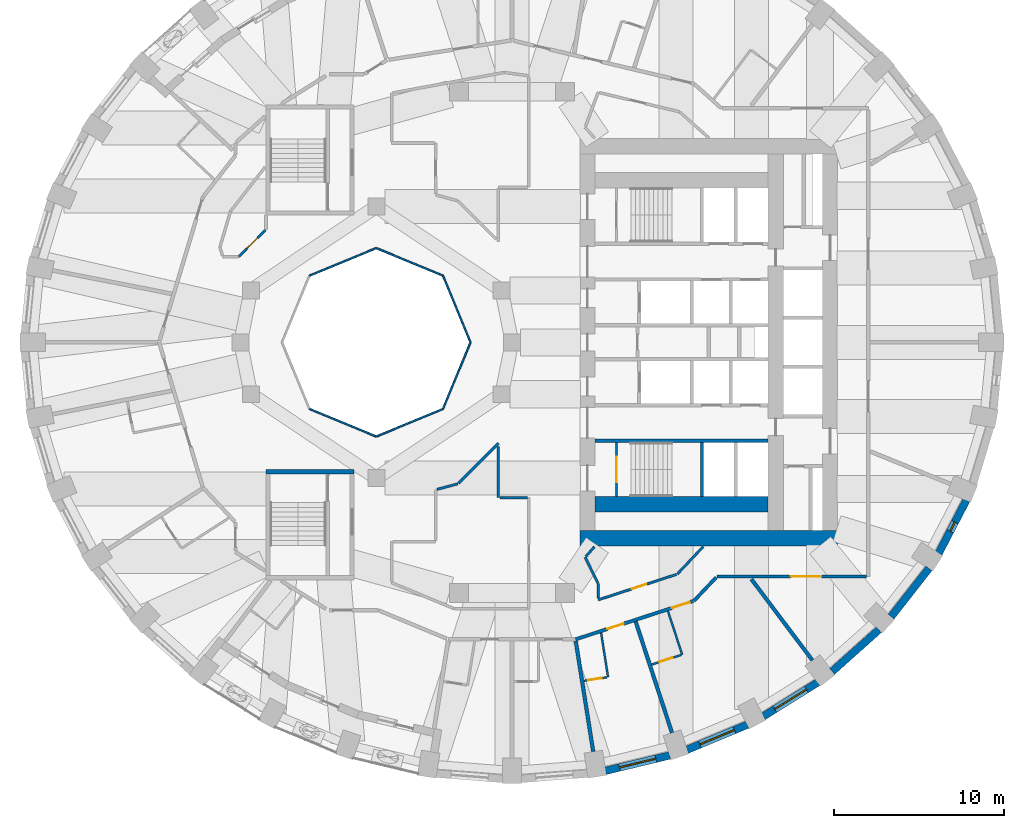
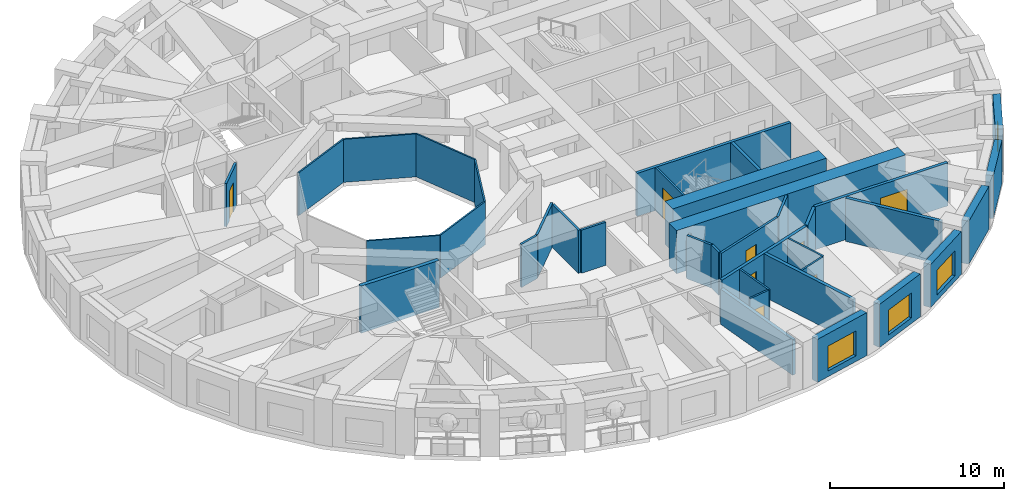
# One storey, part 5 of 13: 38 walls, 8 doors, 4 windows, 12 openings.
"""IFC4 building model written with IfcOpenShell, lengths in metres."""

from ifc_helpers import new_model, si_unit, direction, frame, frame_2d, origin, place, context, subcontext, project, spatial, rectangle, extrude, material, layer, layer_set, type_object, element, fill, save


model = new_model("IFC4")

# Units and contexts
model_context = context("Model", 3, precision=1e-05, world=origin(), true_north=direction((0.0, 1.0)))
body_context = subcontext(model_context, "Body", "Model", "MODEL_VIEW")
ifc_project = project(units=[si_unit("LENGTHUNIT", "METRE"), si_unit("AREAUNIT", "SQUARE_METRE"), si_unit("VOLUMEUNIT", "CUBIC_METRE"), si_unit("PLANEANGLEUNIT", "RADIAN"), si_unit("MASSUNIT", "GRAM", prefix="KILO")], contexts=[model_context])

# Site, building, storey
site_placement = place(None, origin())
site = spatial("IfcSite", under=ifc_project, at=site_placement, CompositionType="ELEMENT")
building_placement = place(site_placement, origin())
building = spatial("IfcBuilding", under=site, at=building_placement, Name="Taillehof Tower", CompositionType="ELEMENT")
storey_placement = place(building_placement, frame((0.0, 0.0, 48.10009765625)))
storey = spatial("IfcBuildingStorey", under=building, at=storey_placement, Name="L12", CompositionType="ELEMENT", Elevation=48.10009765625)

# Walls
ifc_material_1 = material(Name="Fire-resisting glass in steel frame", Category="steel")
ifc_layer_1 = layer(ifc_material_1, 0.10009765625)
ifc_layer_set_1 = layer_set([ifc_layer_1], Name="Atrium fire-resisting screen EI 60 100")
wall_type_1 = type_object("IfcWallType", Name="Atrium fire-resisting screen EI 60 100", PredefinedType="PARTITIONING", material=ifc_layer_set_1)
for number, where, z_axis, x_axis, name in (
    (1, (-2.44580078125, 0.0, 0.0), (0.0, 0.0, 1.0), (-0.382730523909, -0.923860025149, 0.0), "Atrium screen"),
    (2, (-4.07275390625, -3.92724609375, 0.0), (0.0, 0.0, 1.0), (-0.923860025149, -0.382730523909, 0.0), "Atrium screen"),
    (3, (-8.0, -5.55419921875, 0.0), (0.0, 0.0, 1.0), (-0.923860025149, 0.382730523909, 0.0), "Atrium screen"),
    (4, (-11.92724609375, 3.92724609375, 0.0), (0.0, 0.0, 1.0), (0.923860025149, 0.382730523909, 0.0), "Atrium screen"),
    (5, (-8.0, 5.55419921875, 0.0), (0.0, 0.0, 1.0), (0.923860025149, -0.382730523909, 0.0), "Atrium screen"),
    (6, (-4.07275390625, 3.92724609375, 0.0), (0.0, 0.0, 1.0), (0.382730523909, -0.923860025149, 0.0), "Atrium screen"),
):
    element("IfcWall", number, at=place(storey_placement, frame(where, z_axis=z_axis, x_axis=x_axis)), inside=storey, type_object=wall_type_1, Name=name, PredefinedType="PARTITIONING", context=body_context, shape_type="SweptSolid", body=[
        extrude(rectangle(XDim=4.2509765625, YDim=0.10009765625, at=frame_2d((2.12548828125, 0.0))), origin(), (0.0, 0.0, 1.0), 3.02001953125),
    ])

# Wall, opening, window
ifc_material_2 = material(Name="Brick masonry", Category="masonry")
ifc_layer_2 = layer(ifc_material_2, 0.449951171875)
ifc_layer_set_2 = layer_set([ifc_layer_2], Name="Brick infill wall 450")
wall_type_2 = type_object("IfcWallType", Name="Brick infill wall 450", PredefinedType="SOLIDWALL", material=ifc_layer_set_2)
wall_1_placement = place(storey_placement, frame((5.50439453125, -25.260498046875, 0.0), z_axis=(0.0, 0.0, 1.0), x_axis=(0.972496561493, 0.232917233979, 0.0)))
wall_1 = element("IfcWall", 7, at=wall_1_placement, inside=storey, type_object=wall_type_2, Name="Brick wall L12 bay 29", PredefinedType="SOLIDWALL", context=body_context, shape_type="SweptSolid", body=[
    extrude(rectangle(XDim=3.910888671875, YDim=0.449951171875, at=frame_2d((1.95556640625, 0.0))), origin(), (0.0, 0.0, 1.0), 3.02001953125),
])
opening_1_placement = place(wall_1_placement, frame((0.855224609375, 0.0, 0.39990234375)))
opening_1 = element("IfcOpeningElement", 8, at=opening_1_placement, cuts=wall_1, Name="Opening W1", PredefinedType="OPENING", context=body_context, shape_type="SweptSolid", body=[
    extrude(rectangle(XDim=2.199951171875, YDim=1.75, at=frame_2d((1.10009765625, 0.875))), frame((0.0, 0.23486328125, 0.0), z_axis=(0.0, -1.0, 0.0), x_axis=(1.0, 0.0, 0.0)), (0.0, 0.0, 1.0), 0.469970703125),
])
ifc_material_3 = material(Name="Aluminium window frame with clear double glazing", Category="aluminium")
window_type_1 = type_object("IfcWindowType", Name="Deep-set window 2200x1750", PartitioningType="SINGLE_PANEL", PredefinedType="WINDOW", material=ifc_material_3)
window_1_placement = place(opening_1_placement, origin())
window_1 = element("IfcWindow", 9, at=window_1_placement, inside=storey, type_object=window_type_1, Name="W1", OverallHeight=1.75, OverallWidth=2.199951171875, PartitioningType="SINGLE_PANEL", PredefinedType="WINDOW", context=body_context, shape_type="SweptSolid", body=[
    extrude(rectangle(XDim=2.199951171875, YDim=1.75, at=frame_2d((1.10009765625, 0.875))), frame((0.0, 0.034912109375, 0.0), z_axis=(0.0, -1.0, 0.0), x_axis=(1.0, 0.0, 0.0)), (0.0, 0.0, 1.0), 0.06005859375),
])
fill(opening_1, window_1)

wall_2_placement = place(storey_placement, frame((10.3154296875, -24.02099609375, 0.0), z_axis=(0.0, 0.0, 1.0), x_axis=(0.923031964282, 0.384723267966, 0.0)))
wall_2 = element("IfcWall", 10, at=wall_2_placement, inside=storey, type_object=wall_type_2, Name="Brick wall L12 bay 30", PredefinedType="SOLIDWALL", context=body_context, shape_type="SweptSolid", body=[
    extrude(rectangle(XDim=3.8564453125, YDim=0.449951171875, at=frame_2d((1.92822265625, 0.0))), origin(), (0.0, 0.0, 1.0), 3.02001953125),
])
opening_2_placement = place(wall_2_placement, frame((0.828125, 0.0, 0.39990234375)))
opening_2 = element("IfcOpeningElement", 11, at=opening_2_placement, cuts=wall_2, Name="Opening W1", PredefinedType="OPENING", context=body_context, shape_type="SweptSolid", body=[
    extrude(rectangle(XDim=2.199951171875, YDim=1.75, at=frame_2d((1.10009765625, 0.875))), frame((0.0, 0.23486328125, 0.0), z_axis=(0.0, -1.0, 0.0), x_axis=(1.0, 0.0, 0.0)), (0.0, 0.0, 1.0), 0.469970703125),
])
window_2_placement = place(opening_2_placement, origin())
window_2 = element("IfcWindow", 12, at=window_2_placement, inside=storey, type_object=window_type_1, Name="W1", OverallHeight=1.75, OverallWidth=2.199951171875, PartitioningType="SINGLE_PANEL", PredefinedType="WINDOW", context=body_context, shape_type="SweptSolid", body=[
    extrude(rectangle(XDim=2.199951171875, YDim=1.75, at=frame_2d((1.10009765625, 0.875))), frame((0.0, 0.034912109375, 0.0), z_axis=(0.0, -1.0, 0.0), x_axis=(1.0, 0.0, 0.0)), (0.0, 0.0, 1.0), 0.06005859375),
])
fill(opening_2, window_2)

wall_3_placement = place(storey_placement, frame((14.81689453125, -22.050537109375, 0.0), z_axis=(0.0, 0.0, 1.0), x_axis=(0.847635480093, 0.530579016629, 0.0)))
wall_3 = element("IfcWall", 13, at=wall_3_placement, inside=storey, type_object=wall_type_2, Name="Brick wall L12 bay 31", PredefinedType="SOLIDWALL", context=body_context, shape_type="SweptSolid", body=[
    extrude(rectangle(XDim=3.782470703125, YDim=0.449951171875, at=frame_2d((1.89111328125, 0.0))), origin(), (0.0, 0.0, 1.0), 3.02001953125),
])
opening_3_placement = place(wall_3_placement, frame((0.791259765625, 0.0, 0.39990234375)))
opening_3 = element("IfcOpeningElement", 14, at=opening_3_placement, cuts=wall_3, Name="Opening W1", PredefinedType="OPENING", context=body_context, shape_type="SweptSolid", body=[
    extrude(rectangle(XDim=2.199951171875, YDim=1.75, at=frame_2d((1.10009765625, 0.875))), frame((0.0, 0.23486328125, 0.0), z_axis=(0.0, -1.0, 0.0), x_axis=(1.0, 0.0, 0.0)), (0.0, 0.0, 1.0), 0.469970703125),
])
window_3_placement = place(opening_3_placement, origin())
window_3 = element("IfcWindow", 15, at=window_3_placement, inside=storey, type_object=window_type_1, Name="W1", OverallHeight=1.75, OverallWidth=2.199951171875, PartitioningType="SINGLE_PANEL", PredefinedType="WINDOW", context=body_context, shape_type="SweptSolid", body=[
    extrude(rectangle(XDim=2.199951171875, YDim=1.75, at=frame_2d((1.10009765625, 0.875))), frame((0.0, 0.034912109375, 0.0), z_axis=(0.0, -1.0, 0.0), x_axis=(1.0, 0.0, 0.0)), (0.0, 0.0, 1.0), 0.06005859375),
])
fill(opening_3, window_3)

# Walls
wall_4_placement = place(storey_placement, frame((18.87060546875, -19.406982421875, 0.0), z_axis=(0.0, 0.0, 1.0), x_axis=(0.745526233716, 0.66647628228, 0.0)))
element("IfcWall", 16, at=wall_4_placement, inside=storey, type_object=wall_type_2, Name="Brick wall L12 bay 32", PredefinedType="SOLIDWALL", context=body_context, shape_type="SweptSolid", body=[
    extrude(rectangle(XDim=3.69677734375, YDim=0.449951171875, at=frame_2d((1.848388671875, 0.0))), origin(), (0.0, 0.0, 1.0), 3.02001953125),
])
wall_5_placement = place(storey_placement, frame((22.3515625, -16.169677734375, 0.0), z_axis=(0.0, 0.0, 1.0), x_axis=(0.616661975264, 0.787228053529, 0.0)))
element("IfcWall", 17, at=wall_5_placement, inside=storey, type_object=wall_type_2, Name="Brick wall L12 bay 33", PredefinedType="SOLIDWALL", context=body_context, shape_type="SweptSolid", body=[
    extrude(rectangle(XDim=3.60986328125, YDim=0.449951171875, at=frame_2d((1.804931640625, 0.0))), origin(), (0.0, 0.0, 1.0), 3.02001953125),
])

# Wall, opening, window
wall_6_placement = place(storey_placement, frame((25.152099609375, -12.436767578125, 0.0), z_axis=(0.0, 0.0, 1.0), x_axis=(0.462492775226, 0.886623050041, 0.0)))
wall_6 = element("IfcWall", 18, at=wall_6_placement, inside=storey, type_object=wall_type_2, Name="Brick wall L12 bay 34", PredefinedType="SOLIDWALL", context=body_context, shape_type="SweptSolid", body=[
    extrude(rectangle(XDim=3.531982421875, YDim=0.449951171875, at=frame_2d((1.76611328125, 0.0))), origin(), (0.0, 0.0, 1.0), 3.02001953125),
])
opening_4_placement = place(wall_6_placement, frame((1.466064453125, 0.0, 0.39990234375)))
opening_4 = element("IfcOpeningElement", 19, at=opening_4_placement, cuts=wall_6, Name="Opening W6", PredefinedType="OPENING", context=body_context, shape_type="SweptSolid", body=[
    extrude(rectangle(XDim=0.60009765625, YDim=1.75, at=frame_2d((0.300048828125, 0.875))), frame((0.0, 0.23486328125, 0.0), z_axis=(0.0, -1.0, 0.0), x_axis=(1.0, 0.0, 0.0)), (0.0, 0.0, 1.0), 0.469970703125),
])
ifc_material_4 = material(Name="Aluminium window frame with clear double glazing", Category="aluminium")
window_type_2 = type_object("IfcWindowType", Name="Slot window 600x1750", PartitioningType="SINGLE_PANEL", PredefinedType="WINDOW", material=ifc_material_4)
window_4_placement = place(opening_4_placement, origin())
window_4 = element("IfcWindow", 20, at=window_4_placement, inside=storey, type_object=window_type_2, Name="W6", OverallHeight=1.75, OverallWidth=0.60009765625, PartitioningType="SINGLE_PANEL", PredefinedType="WINDOW", context=body_context, shape_type="SweptSolid", body=[
    extrude(rectangle(XDim=0.60009765625, YDim=1.75, at=frame_2d((0.300048828125, 0.875))), frame((0.0, 0.034912109375, 0.0), z_axis=(0.0, -1.0, 0.0), x_axis=(1.0, 0.0, 0.0)), (0.0, 0.0, 1.0), 0.06005859375),
])
fill(opening_4, window_4)

# Wall, opening, door
ifc_material_5 = material(Name="Gypsum board on steel studs, two layers each side", Category="steel")
ifc_layer_3 = layer(ifc_material_5, 0.199951171875)
ifc_layer_set_3 = layer_set([ifc_layer_3], Name="Compartment wall corridor 200")
wall_type_3 = type_object("IfcWallType", Name="Compartment wall corridor 200", PredefinedType="PARTITIONING", material=ifc_layer_set_3)
wall_7_placement = place(storey_placement, frame((20.89990234375, -13.800048828125, 0.0), z_axis=(0.0, 0.0, 1.0), x_axis=(-1.0, 0.0, 0.0)))
wall_7 = element("IfcWall", 21, at=wall_7_placement, inside=storey, type_object=wall_type_3, Name="Compartment wall", PredefinedType="PARTITIONING", context=body_context, shape_type="SweptSolid", body=[
    extrude(rectangle(XDim=8.8115234375, YDim=0.199951171875, at=frame_2d((4.40576171875, 0.0))), origin(), (0.0, 0.0, 1.0), 3.02001953125),
])
opening_5_placement = place(wall_7_placement, frame((2.66357421875, 0.0, 0.0)))
opening_5 = element("IfcOpeningElement", 22, at=opening_5_placement, cuts=wall_7, Name="Opening D1266", PredefinedType="OPENING", context=body_context, shape_type="SweptSolid", body=[
    extrude(rectangle(XDim=1.800048828125, YDim=2.10009765625, at=frame_2d((0.89990234375, 1.050048828125))), frame((0.0, 0.10986328125, 0.0), z_axis=(0.0, -1.0, 0.0), x_axis=(1.0, 0.0, 0.0)), (0.0, 0.0, 1.0), 0.219970703125),
])
ifc_material_6 = material(Name="Timber door leaf in steel frame", Category="steel")
door_type_1 = type_object("IfcDoorType", Name="Lounge and meeting room double door EI 30 1800 x 2100", OperationType="SINGLE_SWING_LEFT", PredefinedType="DOOR", material=ifc_material_6)
door_1_placement = place(opening_5_placement, origin())
door_1 = element("IfcDoor", 23, at=door_1_placement, inside=storey, type_object=door_type_1, Name="D1266", OperationType="DOUBLE_DOOR_SINGLE_SWING", OverallHeight=2.10009765625, OverallWidth=1.800048828125, PredefinedType="DOOR", context=body_context, shape_type="SweptSolid", body=[
    extrude(rectangle(XDim=1.800048828125, YDim=2.10009765625, at=frame_2d((0.89990234375, 1.050048828125))), frame((0.0, 0.02490234375, 0.0), z_axis=(0.0, -1.0, 0.0), x_axis=(1.0, 0.0, 0.0)), (0.0, 0.0, 1.0), 0.050048828125),
])
fill(opening_5, door_1)

# Wall
wall_8_placement = place(storey_placement, frame((12.03369140625, -13.857666015625, 0.0), z_axis=(0.0, 0.0, 1.0), x_axis=(-0.687458821662, -0.726223359938, 0.0)))
element("IfcWall", 24, at=wall_8_placement, inside=storey, type_object=wall_type_3, Name="Compartment wall", PredefinedType="PARTITIONING", context=body_context, shape_type="SweptSolid", body=[
    extrude(rectangle(XDim=1.895751953125, YDim=0.199951171875, at=frame_2d((0.94775390625, 0.0))), origin(), (0.0, 0.0, 1.0), 3.02001953125),
])

# Wall, openings, doors
wall_9_placement = place(storey_placement, frame((10.6923828125, -15.24658203125, 0.0), z_axis=(0.0, 0.0, 1.0), x_axis=(-0.950852414815, -0.309644449718, 0.0)))
wall_9 = element("IfcWall", 25, at=wall_9_placement, inside=storey, type_object=wall_type_3, Name="Compartment wall", PredefinedType="PARTITIONING", context=body_context, shape_type="SweptSolid", body=[
    extrude(rectangle(XDim=7.295654296875, YDim=0.199951171875, at=frame_2d((3.64794921875, 0.0))), origin(), (0.0, 0.0, 1.0), 3.02001953125),
])
opening_6_placement = place(wall_9_placement, frame((4.326904296875, 0.0, 0.0)))
opening_6 = element("IfcOpeningElement", 26, at=opening_6_placement, cuts=wall_9, Name="Opening D1262", PredefinedType="OPENING", context=body_context, shape_type="SweptSolid", body=[
    extrude(rectangle(XDim=1.0, YDim=2.10009765625, at=frame_2d((0.5, 1.050048828125))), frame((0.0, 0.10986328125, 0.0), z_axis=(0.0, -1.0, 0.0), x_axis=(1.0, 0.0, 0.0)), (0.0, 0.0, 1.0), 0.219970703125),
])
opening_7_placement = place(wall_9_placement, frame((0.219970703125, 0.0, 0.0)))
opening_7 = element("IfcOpeningElement", 27, at=opening_7_placement, cuts=wall_9, Name="Opening D1264", PredefinedType="OPENING", context=body_context, shape_type="SweptSolid", body=[
    extrude(rectangle(XDim=1.10009765625, YDim=2.10009765625, at=frame_2d((0.550048828125, 1.050048828125))), frame((0.0, 0.10986328125, 0.0), z_axis=(0.0, -1.0, 0.0), x_axis=(1.0, 0.0, 0.0)), (0.0, 0.0, 1.0), 0.219970703125),
])
ifc_material_7 = material(Name="Timber door leaf in steel frame", Category="steel")
door_type_2 = type_object("IfcDoorType", Name="Guest room door EI 30 1000 x 2100", OperationType="SINGLE_SWING_LEFT", PredefinedType="DOOR", material=ifc_material_7)
door_2_placement = place(opening_6_placement, origin())
door_2 = element("IfcDoor", 28, at=door_2_placement, inside=storey, type_object=door_type_2, Name="D1262", OperationType="SINGLE_SWING_RIGHT", OverallHeight=2.10009765625, OverallWidth=1.0, PredefinedType="DOOR", context=body_context, shape_type="SweptSolid", body=[
    extrude(rectangle(XDim=1.0, YDim=2.10009765625, at=frame_2d((0.5, 1.050048828125))), frame((0.0, 0.02490234375, 0.0), z_axis=(0.0, -1.0, 0.0), x_axis=(1.0, 0.0, 0.0)), (0.0, 0.0, 1.0), 0.050048828125),
])
fill(opening_6, door_2)
ifc_material_8 = material(Name="Timber door leaf in steel frame", Category="steel")
door_type_3 = type_object("IfcDoorType", Name="Suite entrance door EI 30 1100 x 2100", OperationType="SINGLE_SWING_LEFT", PredefinedType="DOOR", material=ifc_material_8)
door_3_placement = place(opening_7_placement, origin())
door_3 = element("IfcDoor", 29, at=door_3_placement, inside=storey, type_object=door_type_3, Name="D1264", OperationType="SINGLE_SWING_RIGHT", OverallHeight=2.10009765625, OverallWidth=1.10009765625, PredefinedType="DOOR", context=body_context, shape_type="SweptSolid", body=[
    extrude(rectangle(XDim=1.10009765625, YDim=2.10009765625, at=frame_2d((0.550048828125, 1.050048828125))), frame((0.0, 0.02490234375, 0.0), z_axis=(0.0, -1.0, 0.0), x_axis=(1.0, 0.0, 0.0)), (0.0, 0.0, 1.0), 0.050048828125),
])
fill(opening_7, door_3)

# Walls
ifc_material_9 = material(Name="Gypsum board on double steel studs with mineral wool", Category="steel")
ifc_layer_4 = layer(ifc_material_9, 0.219970703125)
ifc_layer_set_4 = layer_set([ifc_layer_4], Name="Compartment wall guest room 220")
wall_type_4 = type_object("IfcWallType", Name="Compartment wall guest room 220", PredefinedType="PARTITIONING", material=ifc_layer_set_4)
wall_10_placement = place(storey_placement, frame((4.788330078125, -24.12548828125, 0.0), z_axis=(0.0, 0.0, 1.0), x_axis=(-0.156122228938, 0.987737743347, 0.0)))
element("IfcWall", 30, at=wall_10_placement, inside=storey, type_object=wall_type_4, Name="Compartment wall", PredefinedType="PARTITIONING", context=body_context, shape_type="SweptSolid", body=[
    extrude(rectangle(XDim=6.595947265625, YDim=0.219970703125, at=frame_2d((3.2978515625, 0.0))), origin(), (0.0, 0.0, 1.0), 2.469970703125),
])
wall_11_placement = place(storey_placement, frame((9.429443359375, -23.01416015625, 0.0), z_axis=(0.0, 0.0, 1.0), x_axis=(-0.310230029144, 0.950661521793, 0.0)))
element("IfcWall", 31, at=wall_11_placement, inside=storey, type_object=wall_type_4, Name="Compartment wall", PredefinedType="PARTITIONING", context=body_context, shape_type="SweptSolid", body=[
    extrude(rectangle(XDim=6.89453125, YDim=0.219970703125, at=frame_2d((3.447265625, 0.0))), origin(), (0.0, 0.0, 1.0), 3.02001953125),
])
wall_12_placement = place(storey_placement, frame((17.707763671875, -18.7431640625, 0.0), z_axis=(0.0, 0.0, 1.0), x_axis=(-0.601181461694, 0.799112539081, 0.0)))
element("IfcWall", 32, at=wall_12_placement, inside=storey, type_object=wall_type_4, Name="Compartment wall", PredefinedType="PARTITIONING", context=body_context, shape_type="SweptSolid", body=[
    extrude(rectangle(XDim=5.98095703125, YDim=0.219970703125, at=frame_2d((2.990478515625, 0.0))), origin(), (0.0, 0.0, 1.0), 3.02001953125),
])

# Wall, opening, door
ifc_material_10 = material(Name="Gypsum board on steel studs, two layers each side", Category="steel")
ifc_layer_5 = layer(ifc_material_10, 0.14990234375)
ifc_layer_set_5 = layer_set([ifc_layer_5], Name="Compartment wall service room 150")
wall_type_5 = type_object("IfcWallType", Name="Compartment wall service room 150", PredefinedType="PARTITIONING", material=ifc_layer_set_5)
wall_13_placement = place(storey_placement, frame((-14.54248046875, 6.609619140625, 0.0), z_axis=(0.0, 0.0, 1.0), x_axis=(-0.707106781187, -0.707106781187, 0.0)))
wall_13 = element("IfcWall", 33, at=wall_13_placement, inside=storey, type_object=wall_type_5, Name="Compartment wall", PredefinedType="PARTITIONING", context=body_context, shape_type="SweptSolid", body=[
    extrude(rectangle(XDim=2.194580078125, YDim=0.14990234375, at=frame_2d((1.09716796875, 0.0))), origin(), (0.0, 0.0, 1.0), 3.02001953125),
])
opening_8_placement = place(wall_13_placement, frame((0.647216796875, 0.0, 0.0)))
opening_8 = element("IfcOpeningElement", 34, at=opening_8_placement, cuts=wall_13, Name="Opening D1272", PredefinedType="OPENING", context=body_context, shape_type="SweptSolid", body=[
    extrude(rectangle(XDim=0.89990234375, YDim=2.10009765625, at=frame_2d((0.449951171875, 1.050048828125))), frame((0.0, 0.0849609375, 0.0), z_axis=(0.0, -1.0, 0.0), x_axis=(1.0, 0.0, 0.0)), (0.0, 0.0, 1.0), 0.169921875),
])
ifc_material_11 = material(Name="Timber door leaf in steel frame", Category="steel")
door_type_4 = type_object("IfcDoorType", Name="Service room door EI 30 900 x 2100", OperationType="SINGLE_SWING_LEFT", PredefinedType="DOOR", material=ifc_material_11)
door_4_placement = place(opening_8_placement, origin())
door_4 = element("IfcDoor", 35, at=door_4_placement, inside=storey, type_object=door_type_4, Name="D1272", OperationType="SINGLE_SWING_RIGHT", OverallHeight=2.10009765625, OverallWidth=0.89990234375, PredefinedType="DOOR", context=body_context, shape_type="SweptSolid", body=[
    extrude(rectangle(XDim=0.89990234375, YDim=2.10009765625, at=frame_2d((0.449951171875, 1.050048828125))), frame((0.0, 0.02490234375, 0.0), z_axis=(0.0, -1.0, 0.0), x_axis=(1.0, 0.0, 0.0)), (0.0, 0.0, 1.0), 0.050048828125),
])
fill(opening_8, door_4)

# Walls
wall_14_placement = place(storey_placement, frame((-4.4228515625, -8.669677734375, 0.0), z_axis=(0.0, 0.0, 1.0), x_axis=(0.965898680525, 0.258920333232, 0.0)))
element("IfcWall", 36, at=wall_14_placement, inside=storey, type_object=wall_type_5, Name="Compartment wall", PredefinedType="PARTITIONING", context=body_context, shape_type="SweptSolid", body=[
    extrude(rectangle(XDim=1.280517578125, YDim=0.14990234375, at=frame_2d((0.64013671875, 0.0))), origin(), (0.0, 0.0, 1.0), 3.02001953125),
])
wall_15_placement = place(storey_placement, frame((-3.15771484375, -8.309814453125, 0.0), z_axis=(0.0, 0.0, 1.0), x_axis=(0.707106781187, 0.707106781187, 0.0)))
element("IfcWall", 37, at=wall_15_placement, inside=storey, type_object=wall_type_5, Name="Compartment wall", PredefinedType="PARTITIONING", context=body_context, shape_type="SweptSolid", body=[
    extrude(rectangle(XDim=3.334228515625, YDim=0.14990234375, at=frame_2d((1.6669921875, 0.0))), origin(), (0.0, 0.0, 1.0), 3.02001953125),
])
wall_16_placement = place(storey_placement, frame((-0.800048828125, -6.13232421875, 0.0), z_axis=(0.0, 0.0, 1.0), x_axis=(0.0, -1.0, 0.0)))
element("IfcWall", 38, at=wall_16_placement, inside=storey, type_object=wall_type_5, Name="Compartment wall", PredefinedType="PARTITIONING", context=body_context, shape_type="SweptSolid", body=[
    extrude(rectangle(XDim=3.017578125, YDim=0.14990234375, at=frame_2d((1.5087890625, 0.0))), origin(), (0.0, 0.0, 1.0), 3.02001953125),
])
wall_17_placement = place(storey_placement, frame((-0.719970703125, -9.14990234375, 0.0), z_axis=(0.0, 0.0, 1.0), x_axis=(1.0, 0.0, 0.0)))
element("IfcWall", 39, at=wall_17_placement, inside=storey, type_object=wall_type_5, Name="Compartment wall", PredefinedType="PARTITIONING", context=body_context, shape_type="SweptSolid", body=[
    extrude(rectangle(XDim=1.639892578125, YDim=0.14990234375, at=frame_2d((0.81982421875, 0.0))), origin(), (0.0, 0.0, 1.0), 3.02001953125),
])
wall_18_placement = place(storey_placement, frame((11.273193359375, -12.042724609375, 0.0), z_axis=(0.0, 0.0, 1.0), x_axis=(-0.687435283659, -0.7262456408, 0.0)))
element("IfcWall", 40, at=wall_18_placement, inside=storey, type_object=wall_type_5, Name="Compartment wall", PredefinedType="PARTITIONING", context=body_context, shape_type="SweptSolid", body=[
    extrude(rectangle(XDim=2.233154296875, YDim=0.14990234375, at=frame_2d((1.11669921875, 0.0))), origin(), (0.0, 0.0, 1.0), 3.02001953125),
])

# Wall, opening, door
wall_19_placement = place(storey_placement, frame((9.699951171875, -13.6767578125, 0.0), z_axis=(0.0, 0.0, 1.0), x_axis=(-0.950854246358, -0.309638825381, 0.0)))
wall_19 = element("IfcWall", 41, at=wall_19_placement, inside=storey, type_object=wall_type_5, Name="Compartment wall", PredefinedType="PARTITIONING", context=body_context, shape_type="SweptSolid", body=[
    extrude(rectangle(XDim=4.86328125, YDim=0.14990234375, at=frame_2d((2.431640625, 0.0))), origin(), (0.0, 0.0, 1.0), 3.02001953125),
])
opening_9_placement = place(wall_19_placement, frame((1.8779296875, 0.0, 0.0)))
opening_9 = element("IfcOpeningElement", 42, at=opening_9_placement, cuts=wall_19, Name="Opening D1274", PredefinedType="OPENING", context=body_context, shape_type="SweptSolid", body=[
    extrude(rectangle(XDim=0.89990234375, YDim=2.10009765625, at=frame_2d((0.449951171875, 1.050048828125))), frame((0.0, 0.0849609375, 0.0), z_axis=(0.0, -1.0, 0.0), x_axis=(1.0, 0.0, 0.0)), (0.0, 0.0, 1.0), 0.169921875),
])
door_5_placement = place(opening_9_placement, origin())
door_5 = element("IfcDoor", 43, at=door_5_placement, inside=storey, type_object=door_type_4, Name="D1274", OperationType="SINGLE_SWING_RIGHT", OverallHeight=2.10009765625, OverallWidth=0.89990234375, PredefinedType="DOOR", context=body_context, shape_type="SweptSolid", body=[
    extrude(rectangle(XDim=0.89990234375, YDim=2.10009765625, at=frame_2d((0.449951171875, 1.050048828125))), frame((0.0, 0.02490234375, 0.0), z_axis=(0.0, -1.0, 0.0), x_axis=(1.0, 0.0, 0.0)), (0.0, 0.0, 1.0), 0.050048828125),
])
fill(opening_9, door_5)

# Walls
wall_20_placement = place(storey_placement, frame((5.07568359375, -15.08251953125, 0.0), z_axis=(0.0, 0.0, 1.0), x_axis=(0.0, 1.0, 0.0)))
element("IfcWall", 44, at=wall_20_placement, inside=storey, type_object=wall_type_5, Name="Compartment wall", PredefinedType="PARTITIONING", context=body_context, shape_type="SweptSolid", body=[
    extrude(rectangle(XDim=0.8603515625, YDim=0.14990234375, at=frame_2d((0.43017578125, 0.0))), origin(), (0.0, 0.0, 1.0), 3.02001953125),
])
wall_21_placement = place(storey_placement, frame((5.05810546875, -14.18603515625, 0.0), z_axis=(0.0, 0.0, 1.0), x_axis=(-0.440556792244, 0.897724742228, 0.0)))
element("IfcWall", 45, at=wall_21_placement, inside=storey, type_object=wall_type_5, Name="Compartment wall", PredefinedType="PARTITIONING", context=body_context, shape_type="SweptSolid", body=[
    extrude(rectangle(XDim=1.690185546875, YDim=0.14990234375, at=frame_2d((0.84521484375, 0.0))), origin(), (0.0, 0.0, 1.0), 3.02001953125),
])
wall_22_placement = place(storey_placement, frame((4.35302734375, -12.623291015625, 0.0), z_axis=(0.0, 0.0, 1.0), x_axis=(0.660265480509, 0.751032286422, 0.0)))
element("IfcWall", 46, at=wall_22_placement, inside=storey, type_object=wall_type_5, Name="Compartment wall", PredefinedType="PARTITIONING", context=body_context, shape_type="SweptSolid", body=[
    extrude(rectangle(XDim=0.774658203125, YDim=0.14990234375, at=frame_2d((0.38720703125, 0.0))), origin(), (0.0, 0.0, 1.0), 2.56982421875),
])
ifc_material_12 = material(Name="Concrete C80/95", Category="concrete")
ifc_layer_6 = layer(ifc_material_12, 0.89990234375)
ifc_layer_set_6 = layer_set([ifc_layer_6], Name="Core wall C80/95 900")
wall_type_6 = type_object("IfcWallType", Name="Core wall C80/95 900", PredefinedType="SHEAR", material=ifc_layer_set_6)
wall_23_placement = place(storey_placement, frame((4.0, -11.550048828125, 0.0), z_axis=(0.0, 0.0, 1.0), x_axis=(1.0, 0.0, 0.0)))
element("IfcWall", 47, at=wall_23_placement, inside=storey, type_object=wall_type_6, Name="Core wall CW04", PredefinedType="SHEAR", context=body_context, shape_type="SweptSolid", body=[
    extrude(rectangle(XDim=15.199951171875, YDim=0.89990234375, at=frame_2d((7.60009765625, 0.0))), origin(), (0.0, 0.0, 1.0), 3.02001953125),
])
wall_24_placement = place(storey_placement, frame((4.89990234375, -9.550048828125, 0.0), z_axis=(0.0, 0.0, 1.0), x_axis=(1.0, 0.0, 0.0)))
element("IfcWall", 48, at=wall_24_placement, inside=storey, type_object=wall_type_6, Name="Core wall CW07", PredefinedType="SHEAR", context=body_context, shape_type="SweptSolid", body=[
    extrude(rectangle(XDim=10.2001953125, YDim=0.89990234375, at=frame_2d((5.10009765625, 0.0))), origin(), (0.0, 0.0, 1.0), 3.02001953125),
])
ifc_material_13 = material(Name="Gypsum board on steel studs, moisture resistant", Category="steel")
ifc_layer_7 = layer(ifc_material_13, 0.1201171875)
ifc_layer_set_7 = layer_set([ifc_layer_7], Name="En-suite wall 120")
wall_type_7 = type_object("IfcWallType", Name="En-suite wall 120", PredefinedType="PARTITIONING", material=ifc_layer_set_7)
wall_25_placement = place(storey_placement, frame((5.2509765625, -17.123779296875, 0.0), z_axis=(0.0, 0.0, 1.0), x_axis=(0.156104955519, -0.987740473435, 0.0)))
element("IfcWall", 49, at=wall_25_placement, inside=storey, type_object=wall_type_7, Name="En-suite wall", PredefinedType="PARTITIONING", context=body_context, shape_type="SweptSolid", body=[
    extrude(rectangle(XDim=2.6416015625, YDim=0.1201171875, at=frame_2d((1.32080078125, 0.0))), origin(), (0.0, 0.0, 1.0), 3.02001953125),
])
wall_26_placement = place(storey_placement, frame((9.192138671875, -15.84033203125, 0.0), z_axis=(0.0, 0.0, 1.0), x_axis=(0.310278328391, -0.950645758909, 0.0)))
element("IfcWall", 50, at=wall_26_placement, inside=storey, type_object=wall_type_7, Name="En-suite wall", PredefinedType="PARTITIONING", context=body_context, shape_type="SweptSolid", body=[
    extrude(rectangle(XDim=2.698974609375, YDim=0.1201171875, at=frame_2d((1.349609375, 0.0))), origin(), (0.0, 0.0, 1.0), 3.02001953125),
])

# Wall, opening, door
wall_27_placement = place(storey_placement, frame((5.60400390625, -19.7421875, 0.0), z_axis=(0.0, 0.0, 1.0), x_axis=(-0.987722767831, -0.156216945011, 0.0)))
wall_27 = element("IfcWall", 51, at=wall_27_placement, inside=storey, type_object=wall_type_7, Name="En-suite wall", PredefinedType="PARTITIONING", context=body_context, shape_type="SweptSolid", body=[
    extrude(rectangle(XDim=1.3798828125, YDim=0.1201171875, at=frame_2d((0.68994140625, 0.0))), origin(), (0.0, 0.0, 1.0), 3.02001953125),
])
opening_10_placement = place(wall_27_placement, frame((0.31494140625, 0.0, 0.0)))
opening_10 = element("IfcOpeningElement", 52, at=opening_10_placement, cuts=wall_27, Name="Opening D1263", PredefinedType="OPENING", context=body_context, shape_type="SweptSolid", body=[
    extrude(rectangle(XDim=0.800048828125, YDim=2.10009765625, at=frame_2d((0.39990234375, 1.050048828125))), frame((0.0, 0.070068359375, 0.0), z_axis=(0.0, -1.0, 0.0), x_axis=(1.0, 0.0, 0.0)), (0.0, 0.0, 1.0), 0.14013671875),
])
ifc_material_14 = material(Name="Timber door leaf in steel frame", Category="steel")
door_type_5 = type_object("IfcDoorType", Name="En-suite door 800 x 2100", OperationType="SINGLE_SWING_LEFT", PredefinedType="DOOR", material=ifc_material_14)
door_6_placement = place(opening_10_placement, origin())
door_6 = element("IfcDoor", 53, at=door_6_placement, inside=storey, type_object=door_type_5, Name="D1263", OperationType="SINGLE_SWING_RIGHT", OverallHeight=2.10009765625, OverallWidth=0.800048828125, PredefinedType="DOOR", context=body_context, shape_type="SweptSolid", body=[
    extrude(rectangle(XDim=0.800048828125, YDim=2.10009765625, at=frame_2d((0.39990234375, 1.050048828125))), frame((0.0, 0.02490234375, 0.0), z_axis=(0.0, -1.0, 0.0), x_axis=(1.0, 0.0, 0.0)), (0.0, 0.0, 1.0), 0.050048828125),
])
fill(opening_10, door_6)

wall_28_placement = place(storey_placement, frame((9.972412109375, -18.424560546875, 0.0), z_axis=(0.0, 0.0, 1.0), x_axis=(-0.950678536911, -0.31017788357, 0.0)))
wall_28 = element("IfcWall", 54, at=wall_28_placement, inside=storey, type_object=wall_type_7, Name="En-suite wall", PredefinedType="PARTITIONING", context=body_context, shape_type="SweptSolid", body=[
    extrude(rectangle(XDim=1.830078125, YDim=0.1201171875, at=frame_2d((0.9150390625, 0.0))), origin(), (0.0, 0.0, 1.0), 3.02001953125),
])
opening_11_placement = place(wall_28_placement, frame((0.5400390625, 0.0, 0.0)))
opening_11 = element("IfcOpeningElement", 55, at=opening_11_placement, cuts=wall_28, Name="Opening D1265", PredefinedType="OPENING", context=body_context, shape_type="SweptSolid", body=[
    extrude(rectangle(XDim=0.800048828125, YDim=2.10009765625, at=frame_2d((0.39990234375, 1.050048828125))), frame((0.0, 0.070068359375, 0.0), z_axis=(0.0, -1.0, 0.0), x_axis=(1.0, 0.0, 0.0)), (0.0, 0.0, 1.0), 0.14013671875),
])
door_7_placement = place(opening_11_placement, origin())
door_7 = element("IfcDoor", 56, at=door_7_placement, inside=storey, type_object=door_type_5, Name="D1265", OperationType="SINGLE_SWING_RIGHT", OverallHeight=2.10009765625, OverallWidth=0.800048828125, PredefinedType="DOOR", context=body_context, shape_type="SweptSolid", body=[
    extrude(rectangle(XDim=0.800048828125, YDim=2.10009765625, at=frame_2d((0.39990234375, 1.050048828125))), frame((0.0, 0.02490234375, 0.0), z_axis=(0.0, -1.0, 0.0), x_axis=(1.0, 0.0, 0.0)), (0.0, 0.0, 1.0), 0.050048828125),
])
fill(opening_11, door_7)

# Walls
ifc_material_15 = material(Name="Concrete C50/60", Category="concrete")
ifc_layer_8 = layer(ifc_material_15, 0.199951171875)
ifc_layer_set_8 = layer_set([ifc_layer_8], Name="Shaft wall C50/60 200")
wall_type_8 = type_object("IfcWallType", Name="Shaft wall C50/60 200", PredefinedType="SHEAR", material=ifc_layer_set_8)
wall_29_placement = place(storey_placement, frame((4.89990234375, -5.800048828125, 0.0), z_axis=(0.0, 0.0, 1.0), x_axis=(1.0, 0.0, 0.0)))
element("IfcWall", 57, at=wall_29_placement, inside=storey, type_object=wall_type_8, Name="Shaft wall SW", PredefinedType="SHEAR", context=body_context, shape_type="SweptSolid", body=[
    extrude(rectangle(XDim=10.2001953125, YDim=0.199951171875, at=frame_2d((5.10009765625, 0.0))), origin(), (0.0, 0.0, 1.0), 3.02001953125),
])
wall_30_placement = place(storey_placement, frame((11.199951171875, -9.10009765625, 0.0), z_axis=(0.0, 0.0, 1.0), x_axis=(0.0, 1.0, 0.0)))
element("IfcWall", 58, at=wall_30_placement, inside=storey, type_object=wall_type_8, Name="Shaft wall SW", PredefinedType="SHEAR", context=body_context, shape_type="SweptSolid", body=[
    extrude(rectangle(XDim=3.2001953125, YDim=0.199951171875, at=frame_2d((1.60009765625, 0.0))), origin(), (0.0, 0.0, 1.0), 3.02001953125),
])

# Wall, opening, door
ifc_material_16 = material(Name="Concrete C50/60", Category="concrete")
ifc_layer_9 = layer(ifc_material_16, 0.1201171875)
ifc_layer_set_9 = layer_set([ifc_layer_9], Name="Stair lobby wall C50/60 120")
wall_type_9 = type_object("IfcWallType", Name="Stair lobby wall C50/60 120", PredefinedType="SHEAR", material=ifc_layer_set_9)
wall_31_placement = place(storey_placement, frame((6.159912109375, -9.10009765625, 0.0), z_axis=(0.0, 0.0, 1.0), x_axis=(0.0, 1.0, 0.0)))
wall_31 = element("IfcWall", 59, at=wall_31_placement, inside=storey, type_object=wall_type_9, Name="Compartment wall SW", PredefinedType="SHEAR", context=body_context, shape_type="SweptSolid", body=[
    extrude(rectangle(XDim=3.2001953125, YDim=0.1201171875, at=frame_2d((1.60009765625, 0.0))), origin(), (0.0, 0.0, 1.0), 3.02001953125),
])
opening_12_placement = place(wall_31_placement, frame((0.85009765625, 0.0, 0.0)))
opening_12 = element("IfcOpeningElement", 60, at=opening_12_placement, cuts=wall_31, Name="Opening D1211", PredefinedType="OPENING", context=body_context, shape_type="SweptSolid", body=[
    extrude(rectangle(XDim=1.5, YDim=2.10009765625, at=frame_2d((0.75, 1.050048828125))), frame((0.0, 0.070068359375, 0.0), z_axis=(0.0, -1.0, 0.0), x_axis=(1.0, 0.0, 0.0)), (0.0, 0.0, 1.0), 0.14013671875),
])
ifc_material_17 = material(Name="Steel-faced fire door", Category="steel")
door_type_6 = type_object("IfcDoorType", Name="Stair door 1500x2100", OperationType="DOUBLE_DOOR_SINGLE_SWING", PredefinedType="DOOR", material=ifc_material_17)
door_8_placement = place(opening_12_placement, origin())
door_8 = element("IfcDoor", 61, at=door_8_placement, inside=storey, type_object=door_type_6, Name="Stair lobby door S2", OperationType="DOUBLE_DOOR_SINGLE_SWING", OverallHeight=2.10009765625, OverallWidth=1.5, PredefinedType="DOOR", context=body_context, shape_type="SweptSolid", body=[
    extrude(rectangle(XDim=1.5, YDim=2.10009765625, at=frame_2d((0.75, 1.050048828125))), frame((0.0, 0.02490234375, 0.0), z_axis=(0.0, -1.0, 0.0), x_axis=(1.0, 0.0, 0.0)), (0.0, 0.0, 1.0), 0.050048828125),
])
fill(opening_12, door_8)

# Wall
ifc_material_18 = material(Name="Concrete C50/60", Category="concrete")
ifc_layer_10 = layer(ifc_material_18, 0.25)
ifc_layer_set_10 = layer_set([ifc_layer_10], Name="Stair wall C50/60 250")
wall_type_10 = type_object("IfcWallType", Name="Stair wall C50/60 250", PredefinedType="SHEAR", material=ifc_layer_set_10)
wall_32_placement = place(storey_placement, frame((-14.5, -7.625, -0.280029296875), z_axis=(0.0, 0.0, 1.0), x_axis=(1.0, 0.0, 0.0)))
element("IfcWall", 62, at=wall_32_placement, inside=storey, type_object=wall_type_10, Name="Stair wall SC", PredefinedType="SHEAR", context=body_context, shape_type="SweptSolid", body=[
    extrude(rectangle(XDim=5.199951171875, YDim=0.25, at=frame_2d((2.60009765625, 0.0))), origin(), (0.0, 0.0, 1.0), 3.300048828125),
])

save(model, "model.ifc")
